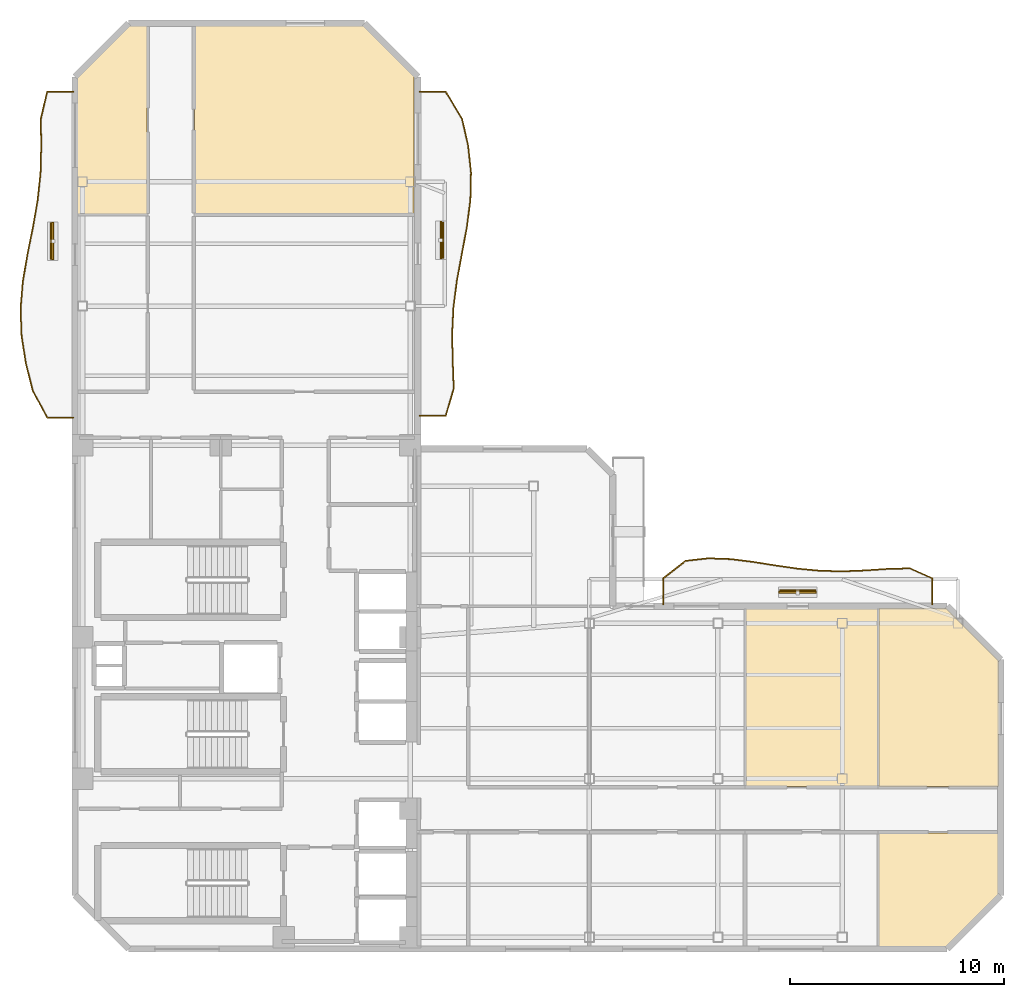
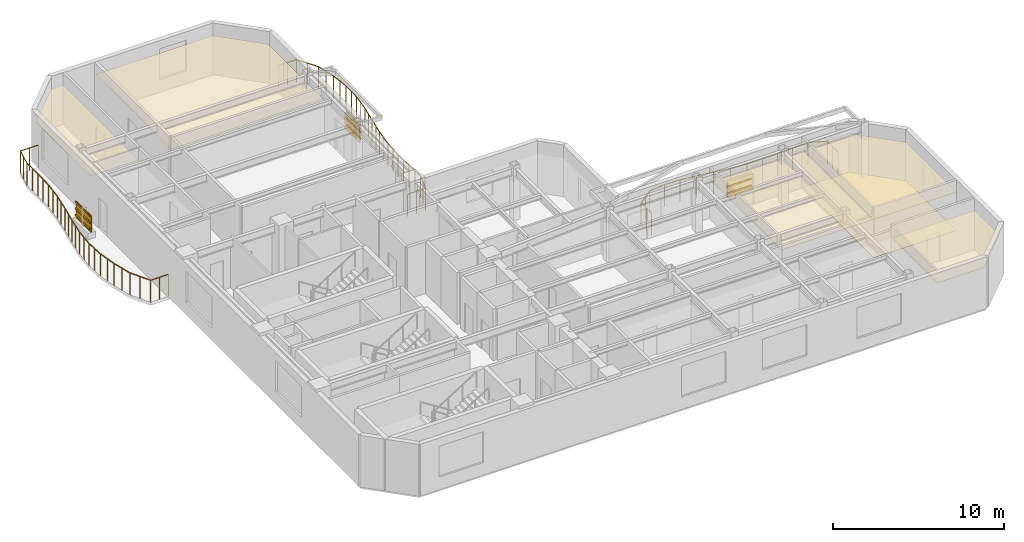
# One storey, part 9 of 9: 12 shading devices, 6 coverings, 3 railings.
"""IFC4 building model written with IfcOpenShell, lengths in metres."""

from ifc_helpers import new_model, si_unit, direction, frame, origin, origin_2d, place, context, subcontext, project, spatial, polyline, rectangle, outline, extrude, material, layer, layer_set, material_profile, profile_set, type_object, element, save


model = new_model("IFC4")

# Units and contexts
model_context = context("Model", 3, precision=1e-05, world=origin(), true_north=direction((0.0, 1.0)))
body_context = subcontext(model_context, "Body", "Model", "MODEL_VIEW")
ifc_project = project(units=[si_unit("LENGTHUNIT", "METRE"), si_unit("AREAUNIT", "SQUARE_METRE"), si_unit("VOLUMEUNIT", "CUBIC_METRE"), si_unit("PLANEANGLEUNIT", "RADIAN"), si_unit("MASSUNIT", "GRAM", prefix="KILO")], contexts=[model_context])

# Site, building, storey
site_placement = place(None, origin())
site = spatial("IfcSite", under=ifc_project, at=site_placement, CompositionType="ELEMENT")
building_placement = place(site_placement, origin())
building = spatial("IfcBuilding", under=site, at=building_placement, Name="Mawjaban Terraces University", CompositionType="ELEMENT")
storey_placement = place(building_placement, frame((0.0, 0.0, 195.300048828125)))
storey = spatial("IfcBuildingStorey", under=building, at=storey_placement, Name="L47", CompositionType="ELEMENT", Elevation=195.300048828125)

# Coverings
ifc_material_1 = material(Name="Acoustic mineral fibre ceiling tile", Category="masonry")
ifc_layer_1 = layer(ifc_material_1, 0.02001953125)
ifc_layer_set_1 = layer_set([ifc_layer_1], Name="Acoustic mineral fibre ceiling tile")
covering_type_1 = type_object("IfcCoveringType", Name="AcousticMineralCeiling_20", PredefinedType="CEILING", material=ifc_layer_set_1)
covering_1_placement = place(storey_placement, frame((0.0, 0.0, 2.75)))
element("IfcCovering", 1, at=covering_1_placement, inside=storey, type_object=covering_type_1, Name="L47 Academic Counseling Room 7 Acoustic Ceiling", PredefinedType="CEILING", context=body_context, shape_type="SweptSolid", body=[
    extrude(outline(polyline([(59.455078125, 15.885009765625), (53.302001953125, 15.885009765625), (53.302001953125, 7.580078125), (59.455078125, 7.580078125), (59.455078125, 15.885009765625)])), origin(), (0.0, 0.0, 1.0), 0.02001953125),
])
covering_2_placement = place(storey_placement, frame((0.0, 0.0, 2.75)))
element("IfcCovering", 2, at=covering_2_placement, inside=storey, type_object=covering_type_1, Name="L47 Academic Counseling Room 8 Acoustic Ceiling", PredefinedType="CEILING", context=body_context, shape_type="SweptSolid", body=[
    extrude(outline(polyline([(59.514892578125, 0.114990234375), (62.653076171875, 0.114990234375), (65.0849609375, 2.547119140625), (65.0849609375, 5.419921875), (59.514892578125, 5.419921875), (59.514892578125, 0.114990234375)])), origin(), (0.0, 0.0, 1.0), 0.02001953125),
])
covering_3_placement = place(storey_placement, frame((0.0, 0.0, 2.75)))
element("IfcCovering", 3, at=covering_3_placement, inside=storey, type_object=covering_type_1, Name="L47 Classroom 9 Acoustic Ceiling", PredefinedType="CEILING", context=body_context, shape_type="SweptSolid", body=[
    extrude(outline(polyline([(65.0849609375, 7.580078125), (65.0849609375, 13.452880859375), (62.653076171875, 15.885009765625), (59.514892578125, 15.885009765625), (59.514892578125, 7.580078125), (65.0849609375, 7.580078125)])), origin(), (0.0, 0.0, 1.0), 0.02001953125),
])
covering_4_placement = place(storey_placement, frame((0.0, 0.0, 2.75)))
element("IfcCovering", 4, at=covering_4_placement, inside=storey, type_object=covering_type_1, Name="L47 Teaching Laboratory 12 Acoustic Ceiling", PredefinedType="CEILING", context=body_context, shape_type="SweptSolid", body=[
    extrude(outline(polyline([(25.3701171875, 43.0849609375), (24.547119140625, 43.0849609375), (22.114990234375, 40.653076171875), (22.114990234375, 34.285888671875), (25.3701171875, 34.285888671875), (25.3701171875, 43.0849609375)])), origin(), (0.0, 0.0, 1.0), 0.02001953125),
])
covering_5_placement = place(storey_placement, frame((0.0, 0.0, 2.75)))
element("IfcCovering", 5, at=covering_5_placement, inside=storey, type_object=covering_type_1, Name="L47 Design Studio 13 Acoustic Ceiling", PredefinedType="CEILING", context=body_context, shape_type="SweptSolid", body=[
    extrude(outline(polyline([(37.820068359375, 40.718017578125), (35.452880859375, 43.0849609375), (27.580078125, 43.0849609375), (27.580078125, 34.285888671875), (37.820068359375, 34.285888671875), (37.820068359375, 40.718017578125)])), origin(), (0.0, 0.0, 1.0), 0.02001953125),
])

# Railings
ifc_material_2 = material(Name="Galvanised powder-coated steel S355", Category="steel")
railing_type = type_object("IfcRailingType", Name="BalconyBalustrade_1600", PredefinedType="BALUSTRADE", material=ifc_material_2)
railing_1_placement = place(storey_placement, frame((21.919921875, 24.800048828125, 0.0)))
element("IfcRailing", 6, at=railing_1_placement, inside=storey, type_object=railing_type, Name="L47 Balcony Guardrail west", PredefinedType="BALUSTRADE", context=body_context, shape_type="SweptSolid", body=[
    extrude(rectangle(XDim=0.048095703125, YDim=0.048095703125, at=origin_2d()), frame((0.0, 0.0, 1.576171875), z_axis=(-1.0, 0.0, 0.0), x_axis=(0.0, -1.0, 0.0)), (0.0, 0.0, 1.0), 1.219970703125),
    extrude(rectangle(XDim=0.048095703125, YDim=0.048095703125, at=origin_2d()), frame((-1.219970703125, 0.0, 1.576171875), z_axis=(-0.470791190401, 0.882244668468, 0.0), x_axis=(-0.882244668468, -0.470791190401, 0.0)), (0.0, 0.0, 1.0), 1.43603515625),
    extrude(rectangle(XDim=0.048095703125, YDim=0.048095703125, at=origin_2d()), frame((-1.89599609375, 1.266845703125, 1.576171875), z_axis=(-0.244207163302, 0.969723084902, 0.0), x_axis=(-0.969723084902, -0.244207163302, 0.0)), (0.0, 0.0, 1.0), 1.3056640625),
    extrude(rectangle(XDim=0.048095703125, YDim=0.048095703125, at=origin_2d()), frame((-2.21484375, 2.532958984375, 1.576171875), z_axis=(-0.155131685366, 0.987893800059, 0.0), x_axis=(-0.987893800059, -0.155131685366, 0.0)), (0.0, 0.0, 1.0), 1.28271484375),
    extrude(rectangle(XDim=0.048095703125, YDim=0.048095703125, at=origin_2d()), frame((-2.413818359375, 3.800048828125, 1.576171875), z_axis=(-0.037937595246, 0.999280110313, 0.0), x_axis=(-0.999280110313, -0.037937595246, 0.0)), (0.0, 0.0, 1.0), 1.267822265625),
    extrude(rectangle(XDim=0.048095703125, YDim=0.048095703125, at=origin_2d()), frame((-2.4619140625, 5.06689453125, 1.576171875), z_axis=(0.081868487873, 0.996643141096, 0.0), x_axis=(-0.996643141096, 0.081868487873, 0.0)), (0.0, 0.0, 1.0), 1.270263671875),
    extrude(rectangle(XDim=0.048095703125, YDim=0.048095703125, at=origin_2d()), frame((-2.35791015625, 6.3330078125, 1.576171875), z_axis=(0.167386824685, 0.985891297721, 0.0), x_axis=(-0.985891297721, 0.167386824685, 0.0)), (0.0, 0.0, 1.0), 1.284912109375),
    extrude(rectangle(XDim=0.048095703125, YDim=0.048095703125, at=origin_2d()), frame((-2.142822265625, 7.599853515625, 1.576171875), z_axis=(0.197931820359, 0.980215789757, 0.0), x_axis=(-0.980215789757, 0.197931820359, 0.0)), (0.0, 0.0, 1.0), 1.292724609375),
    extrude(rectangle(XDim=0.048095703125, YDim=0.048095703125, at=origin_2d()), frame((-1.886962890625, 8.866943359375, 1.576171875), z_axis=(0.172647542263, 0.984983667961, 0.0), x_axis=(-0.984983667961, 0.172647542263, 0.0)), (0.0, 0.0, 1.0), 1.285400390625),
    extrude(rectangle(XDim=0.048095703125, YDim=0.048095703125, at=origin_2d()), frame((-1.6650390625, 10.133056640625, 1.576171875), z_axis=(0.105213501896, 0.994449656352, 0.0), x_axis=(-0.994449656352, 0.105213501896, 0.0)), (0.0, 0.0, 1.0), 1.27392578125),
    extrude(rectangle(XDim=0.048095703125, YDim=0.048095703125, at=origin_2d()), frame((-1.531005859375, 11.39990234375, 1.576171875), z_axis=(0.026195246822, 0.999656845645, 0.0), x_axis=(-0.999656845645, 0.026195246822, 0.0)), (0.0, 0.0, 1.0), 1.267578125),
    extrude(rectangle(XDim=0.048095703125, YDim=0.048095703125, at=origin_2d()), frame((-1.497802734375, 12.6669921875, 1.576171875), z_axis=(-0.015041692508, 0.999886867344, 0.0), x_axis=(-0.999886867344, -0.015041692508, 0.0)), (0.0, 0.0, 1.0), 1.26611328125),
    extrude(rectangle(XDim=0.048095703125, YDim=0.048095703125, at=origin_2d()), frame((-1.516845703125, 13.932861328125, 1.576171875), z_axis=(0.228119078942, 0.973633239892, 0.0), x_axis=(-0.973633239892, 0.228119078942, 0.0)), (0.0, 0.0, 1.0), 1.301513671875),
    extrude(rectangle(XDim=0.048095703125, YDim=0.048095703125, at=origin_2d()), frame((-1.219970703125, 15.199951171875, 1.576171875), z_axis=(1.0, 0.0, 0.0), x_axis=(0.0, 1.0, 0.0)), (0.0, 0.0, 1.0), 1.219970703125),
    extrude(rectangle(XDim=0.0419921875, YDim=0.0419921875, at=origin_2d()), origin(), (0.0, 0.0, 1.0), 1.552001953125),
    extrude(rectangle(XDim=0.0419921875, YDim=0.0419921875, at=origin_2d()), frame((-0.60986328125, 0.0, 0.0)), (0.0, 0.0, 1.0), 1.552001953125),
    extrude(rectangle(XDim=0.0419921875, YDim=0.0419921875, at=origin_2d()), frame((-1.219970703125, 0.0, 0.0)), (0.0, 0.0, 1.0), 1.552001953125),
    extrude(rectangle(XDim=0.0419921875, YDim=0.0419921875, at=origin_2d()), frame((-1.55810546875, 0.63330078125, 0.0)), (0.0, 0.0, 1.0), 1.552001953125),
    extrude(rectangle(XDim=0.0419921875, YDim=0.0419921875, at=origin_2d()), frame((-1.89599609375, 1.266845703125, 0.0)), (0.0, 0.0, 1.0), 1.552001953125),
    extrude(rectangle(XDim=0.0419921875, YDim=0.0419921875, at=origin_2d()), frame((-2.055419921875, 1.89990234375, 0.0)), (0.0, 0.0, 1.0), 1.552001953125),
    extrude(rectangle(XDim=0.0419921875, YDim=0.0419921875, at=origin_2d()), frame((-2.21484375, 2.532958984375, 0.0)), (0.0, 0.0, 1.0), 1.552001953125),
    extrude(rectangle(XDim=0.0419921875, YDim=0.0419921875, at=origin_2d()), frame((-2.314453125, 3.16650390625, 0.0)), (0.0, 0.0, 1.0), 1.552001953125),
    extrude(rectangle(XDim=0.0419921875, YDim=0.0419921875, at=origin_2d()), frame((-2.413818359375, 3.800048828125, 0.0)), (0.0, 0.0, 1.0), 1.552001953125),
    extrude(rectangle(XDim=0.0419921875, YDim=0.0419921875, at=origin_2d()), frame((-2.43798828125, 4.43359375, 0.0)), (0.0, 0.0, 1.0), 1.552001953125),
    extrude(rectangle(XDim=0.0419921875, YDim=0.0419921875, at=origin_2d()), frame((-2.4619140625, 5.06689453125, 0.0)), (0.0, 0.0, 1.0), 1.552001953125),
    extrude(rectangle(XDim=0.0419921875, YDim=0.0419921875, at=origin_2d()), frame((-2.409912109375, 5.699951171875, 0.0)), (0.0, 0.0, 1.0), 1.552001953125),
    extrude(rectangle(XDim=0.0419921875, YDim=0.0419921875, at=origin_2d()), frame((-2.35791015625, 6.3330078125, 0.0)), (0.0, 0.0, 1.0), 1.552001953125),
    extrude(rectangle(XDim=0.0419921875, YDim=0.0419921875, at=origin_2d()), frame((-2.25048828125, 6.96630859375, 0.0)), (0.0, 0.0, 1.0), 1.552001953125),
    extrude(rectangle(XDim=0.0419921875, YDim=0.0419921875, at=origin_2d()), frame((-2.142822265625, 7.599853515625, 0.0)), (0.0, 0.0, 1.0), 1.552001953125),
    extrude(rectangle(XDim=0.0419921875, YDim=0.0419921875, at=origin_2d()), frame((-2.014892578125, 8.2333984375, 0.0)), (0.0, 0.0, 1.0), 1.552001953125),
    extrude(rectangle(XDim=0.0419921875, YDim=0.0419921875, at=origin_2d()), frame((-1.886962890625, 8.866943359375, 0.0)), (0.0, 0.0, 1.0), 1.552001953125),
    extrude(rectangle(XDim=0.0419921875, YDim=0.0419921875, at=origin_2d()), frame((-1.77587890625, 9.5, 0.0)), (0.0, 0.0, 1.0), 1.552001953125),
    extrude(rectangle(XDim=0.0419921875, YDim=0.0419921875, at=origin_2d()), frame((-1.6650390625, 10.133056640625, 0.0)), (0.0, 0.0, 1.0), 1.552001953125),
    extrude(rectangle(XDim=0.0419921875, YDim=0.0419921875, at=origin_2d()), frame((-1.59814453125, 10.7666015625, 0.0)), (0.0, 0.0, 1.0), 1.552001953125),
    extrude(rectangle(XDim=0.0419921875, YDim=0.0419921875, at=origin_2d()), frame((-1.531005859375, 11.39990234375, 0.0)), (0.0, 0.0, 1.0), 1.552001953125),
    extrude(rectangle(XDim=0.0419921875, YDim=0.0419921875, at=origin_2d()), frame((-1.514404296875, 12.033447265625, 0.0)), (0.0, 0.0, 1.0), 1.552001953125),
    extrude(rectangle(XDim=0.0419921875, YDim=0.0419921875, at=origin_2d()), frame((-1.497802734375, 12.6669921875, 0.0)), (0.0, 0.0, 1.0), 1.552001953125),
    extrude(rectangle(XDim=0.0419921875, YDim=0.0419921875, at=origin_2d()), frame((-1.50732421875, 13.2998046875, 0.0)), (0.0, 0.0, 1.0), 1.552001953125),
    extrude(rectangle(XDim=0.0419921875, YDim=0.0419921875, at=origin_2d()), frame((-1.516845703125, 13.932861328125, 0.0)), (0.0, 0.0, 1.0), 1.552001953125),
    extrude(rectangle(XDim=0.0419921875, YDim=0.0419921875, at=origin_2d()), frame((-1.368408203125, 14.56640625, 0.0)), (0.0, 0.0, 1.0), 1.552001953125),
    extrude(rectangle(XDim=0.0419921875, YDim=0.0419921875, at=origin_2d()), frame((-1.219970703125, 15.199951171875, 0.0)), (0.0, 0.0, 1.0), 1.552001953125),
    extrude(rectangle(XDim=0.0419921875, YDim=0.0419921875, at=origin_2d()), frame((-0.60986328125, 15.199951171875, 0.0)), (0.0, 0.0, 1.0), 1.552001953125),
    extrude(rectangle(XDim=0.0419921875, YDim=0.0419921875, at=origin_2d()), frame((0.0, 15.199951171875, 0.0)), (0.0, 0.0, 1.0), 1.552001953125),
])
railing_2_placement = place(storey_placement, frame((49.449951171875, 16.080078125, 0.0)))
element("IfcRailing", 7, at=railing_2_placement, inside=storey, type_object=railing_type, Name="L47 Balcony Guardrail inner_north", PredefinedType="BALUSTRADE", context=body_context, shape_type="SweptSolid", body=[
    extrude(rectangle(XDim=0.048095703125, YDim=0.048095703125, at=origin_2d()), frame((0.0, 0.0, 1.576171875), z_axis=(0.0, 1.0, 0.0), x_axis=(-1.0, 0.0, 0.0)), (0.0, 0.0, 1.0), 1.219970703125),
    extrude(rectangle(XDim=0.048095703125, YDim=0.048095703125, at=origin_2d()), frame((0.0, 1.219970703125, 1.576171875), z_axis=(0.788886065076, 0.614539483133, 0.0), x_axis=(-0.614539483133, 0.788886065076, 0.0)), (0.0, 0.0, 1.0), 1.326171875),
    extrude(rectangle(XDim=0.048095703125, YDim=0.048095703125, at=origin_2d()), frame((1.046142578125, 2.034912109375, 1.576171875), z_axis=(0.993704229567, 0.112035280785, 0.0), x_axis=(-0.112035280785, 0.993704229567, 0.0)), (0.0, 0.0, 1.0), 1.052490234375),
    extrude(rectangle(XDim=0.048095703125, YDim=0.048095703125, at=origin_2d()), frame((2.092041015625, 2.15283203125, 1.576171875), z_axis=(0.999379387476, -0.035225557308, 0.0), x_axis=(0.035225557308, 0.999379387476, 0.0)), (0.0, 0.0, 1.0), 1.046630859375),
    extrude(rectangle(XDim=0.048095703125, YDim=0.048095703125, at=origin_2d()), frame((3.137939453125, 2.115966796875, 1.576171875), z_axis=(0.992592096091, -0.121494570977, 0.0), x_axis=(0.121494570977, 0.992592096091, 0.0)), (0.0, 0.0, 1.0), 1.052978515625),
    extrude(rectangle(XDim=0.048095703125, YDim=0.048095703125, at=origin_2d()), frame((4.18310546875, 1.988037109375, 1.576171875), z_axis=(0.987456449029, -0.157891612415, 0.0), x_axis=(0.157891612415, 0.987456449029, 0.0)), (0.0, 0.0, 1.0), 1.05908203125),
    extrude(rectangle(XDim=0.048095703125, YDim=0.048095703125, at=origin_2d()), frame((5.22900390625, 1.82080078125, 1.576171875), z_axis=(0.989628266304, -0.143651991048, 0.0), x_axis=(0.143651991048, 0.989628266304, 0.0)), (0.0, 0.0, 1.0), 1.05712890625),
    extrude(rectangle(XDim=0.048095703125, YDim=0.048095703125, at=origin_2d()), frame((6.275146484375, 1.6689453125, 1.576171875), z_axis=(0.995626122983, -0.093427101176, 0.0), x_axis=(0.093427101176, 0.995626122983, 0.0)), (0.0, 0.0, 1.0), 1.050537109375),
    extrude(rectangle(XDim=0.048095703125, YDim=0.048095703125, at=origin_2d()), frame((7.321044921875, 1.57080078125, 1.576171875), z_axis=(0.999716673744, -0.023802777946, 0.0), x_axis=(0.023802777946, 0.999716673744, 0.0)), (0.0, 0.0, 1.0), 1.046142578125),
    extrude(rectangle(XDim=0.048095703125, YDim=0.048095703125, at=origin_2d()), frame((8.366943359375, 1.5458984375, 1.576171875), z_axis=(0.999267024346, 0.038280726931, 0.0), x_axis=(-0.038280726931, 0.999267024346, 0.0)), (0.0, 0.0, 1.0), 1.0458984375),
    extrude(rectangle(XDim=0.048095703125, YDim=0.048095703125, at=origin_2d()), frame((9.412109375, 1.5859375, 1.576171875), z_axis=(0.997763463468, 0.066843630723, 0.0), x_axis=(-0.066843630723, 0.997763463468, 0.0)), (0.0, 0.0, 1.0), 1.04833984375),
    extrude(rectangle(XDim=0.048095703125, YDim=0.048095703125, at=origin_2d()), frame((10.4580078125, 1.656005859375, 1.576171875), z_axis=(0.999621046916, 0.027527487406, 0.0), x_axis=(-0.027527487406, 0.999621046916, 0.0)), (0.0, 0.0, 1.0), 1.046630859375),
    extrude(rectangle(XDim=0.048095703125, YDim=0.048095703125, at=origin_2d()), frame((11.504150390625, 1.684814453125, 1.576171875), z_axis=(0.91381154862, -0.406138466053, 0.0), x_axis=(0.406138466053, 0.91381154862, 0.0)), (0.0, 0.0, 1.0), 1.14453125),
    extrude(rectangle(XDim=0.048095703125, YDim=0.048095703125, at=origin_2d()), frame((12.550048828125, 1.219970703125, 1.576171875), z_axis=(0.0, -1.0, 0.0), x_axis=(1.0, 0.0, 0.0)), (0.0, 0.0, 1.0), 1.219970703125),
    extrude(rectangle(XDim=0.0419921875, YDim=0.0419921875, at=origin_2d()), origin(), (0.0, 0.0, 1.0), 1.552001953125),
    extrude(rectangle(XDim=0.0419921875, YDim=0.0419921875, at=origin_2d()), frame((0.0, 0.60986328125, 0.0)), (0.0, 0.0, 1.0), 1.552001953125),
    extrude(rectangle(XDim=0.0419921875, YDim=0.0419921875, at=origin_2d()), frame((0.0, 1.219970703125, 0.0)), (0.0, 0.0, 1.0), 1.552001953125),
    extrude(rectangle(XDim=0.0419921875, YDim=0.0419921875, at=origin_2d()), frame((0.52294921875, 1.62744140625, 0.0)), (0.0, 0.0, 1.0), 1.552001953125),
    extrude(rectangle(XDim=0.0419921875, YDim=0.0419921875, at=origin_2d()), frame((1.046142578125, 2.034912109375, 0.0)), (0.0, 0.0, 1.0), 1.552001953125),
    extrude(rectangle(XDim=0.0419921875, YDim=0.0419921875, at=origin_2d()), frame((2.092041015625, 2.15283203125, 0.0)), (0.0, 0.0, 1.0), 1.552001953125),
    extrude(rectangle(XDim=0.0419921875, YDim=0.0419921875, at=origin_2d()), frame((3.137939453125, 2.115966796875, 0.0)), (0.0, 0.0, 1.0), 1.552001953125),
    extrude(rectangle(XDim=0.0419921875, YDim=0.0419921875, at=origin_2d()), frame((4.18310546875, 1.988037109375, 0.0)), (0.0, 0.0, 1.0), 1.552001953125),
    extrude(rectangle(XDim=0.0419921875, YDim=0.0419921875, at=origin_2d()), frame((5.22900390625, 1.82080078125, 0.0)), (0.0, 0.0, 1.0), 1.552001953125),
    extrude(rectangle(XDim=0.0419921875, YDim=0.0419921875, at=origin_2d()), frame((6.275146484375, 1.6689453125, 0.0)), (0.0, 0.0, 1.0), 1.552001953125),
    extrude(rectangle(XDim=0.0419921875, YDim=0.0419921875, at=origin_2d()), frame((7.321044921875, 1.57080078125, 0.0)), (0.0, 0.0, 1.0), 1.552001953125),
    extrude(rectangle(XDim=0.0419921875, YDim=0.0419921875, at=origin_2d()), frame((8.366943359375, 1.5458984375, 0.0)), (0.0, 0.0, 1.0), 1.552001953125),
    extrude(rectangle(XDim=0.0419921875, YDim=0.0419921875, at=origin_2d()), frame((9.412109375, 1.5859375, 0.0)), (0.0, 0.0, 1.0), 1.552001953125),
    extrude(rectangle(XDim=0.0419921875, YDim=0.0419921875, at=origin_2d()), frame((10.4580078125, 1.656005859375, 0.0)), (0.0, 0.0, 1.0), 1.552001953125),
    extrude(rectangle(XDim=0.0419921875, YDim=0.0419921875, at=origin_2d()), frame((11.504150390625, 1.684814453125, 0.0)), (0.0, 0.0, 1.0), 1.552001953125),
    extrude(rectangle(XDim=0.0419921875, YDim=0.0419921875, at=origin_2d()), frame((12.550048828125, 1.219970703125, 0.0)), (0.0, 0.0, 1.0), 1.552001953125),
    extrude(rectangle(XDim=0.0419921875, YDim=0.0419921875, at=origin_2d()), frame((12.550048828125, 0.60986328125, 0.0)), (0.0, 0.0, 1.0), 1.552001953125),
    extrude(rectangle(XDim=0.0419921875, YDim=0.0419921875, at=origin_2d()), frame((12.550048828125, 0.0, 0.0)), (0.0, 0.0, 1.0), 1.552001953125),
])
railing_3_placement = place(storey_placement, frame((38.080078125, 24.887939453125, 0.0)))
element("IfcRailing", 8, at=railing_3_placement, inside=storey, type_object=railing_type, Name="L47 Balcony Guardrail inner_east", PredefinedType="BALUSTRADE", context=body_context, shape_type="SweptSolid", body=[
    extrude(rectangle(XDim=0.048095703125, YDim=0.048095703125, at=origin_2d()), frame((0.0, 0.0, 1.576171875), z_axis=(1.0, 0.0, 0.0), x_axis=(0.0, 1.0, 0.0)), (0.0, 0.0, 1.0), 1.219970703125),
    extrude(rectangle(XDim=0.048095703125, YDim=0.048095703125, at=origin_2d()), frame((1.219970703125, 0.0, 1.576171875), z_axis=(0.286137376553, 0.958188604472, 0.0), x_axis=(-0.958188604472, 0.286137376553, 0.0)), (0.0, 0.0, 1.0), 1.31396484375),
    extrude(rectangle(XDim=0.048095703125, YDim=0.048095703125, at=origin_2d()), frame((1.595947265625, 1.259033203125, 1.576171875), z_axis=(-0.036596278806, 0.999330131827, 0.0), x_axis=(-0.999330131827, -0.036596278806, 0.0)), (0.0, 0.0, 1.0), 1.2607421875),
    extrude(rectangle(XDim=0.048095703125, YDim=0.048095703125, at=origin_2d()), frame((1.5498046875, 2.51904296875, 1.576171875), z_axis=(-0.022875532645, 0.999738320765, 0.0), x_axis=(-0.999738320765, -0.022875532645, 0.0)), (0.0, 0.0, 1.0), 1.25927734375),
    extrude(rectangle(XDim=0.048095703125, YDim=0.048095703125, at=origin_2d()), frame((1.52099609375, 3.778076171875, 1.576171875), z_axis=(0.046681649415, 0.998909817555, 0.0), x_axis=(-0.998909817555, 0.046681649415, 0.0)), (0.0, 0.0, 1.0), 1.260498046875),
    extrude(rectangle(XDim=0.048095703125, YDim=0.048095703125, at=origin_2d()), frame((1.579833984375, 5.037109375, 1.576171875), z_axis=(0.128361544176, 0.991727439359, 0.0), x_axis=(-0.991727439359, 0.128361544176, 0.0)), (0.0, 0.0, 1.0), 1.2705078125),
    extrude(rectangle(XDim=0.048095703125, YDim=0.048095703125, at=origin_2d()), frame((1.742919921875, 6.297119140625, 1.576171875), z_axis=(0.181904903131, 0.983316127304, 0.0), x_axis=(-0.983316127304, 0.181904903131, 0.0)), (0.0, 0.0, 1.0), 1.2802734375),
    extrude(rectangle(XDim=0.048095703125, YDim=0.048095703125, at=origin_2d()), frame((1.975830078125, 7.55615234375, 1.576171875), z_axis=(0.18359782589, 0.983001443706, 0.0), x_axis=(-0.983001443706, 0.18359782589, 0.0)), (0.0, 0.0, 1.0), 1.280517578125),
    extrude(rectangle(XDim=0.048095703125, YDim=0.048095703125, at=origin_2d()), frame((2.2109375, 8.81494140625, 1.576171875), z_axis=(0.1274164104, 0.991849312326, 0.0), x_axis=(-0.991849312326, 0.1274164104, 0.0)), (0.0, 0.0, 1.0), 1.270263671875),
    extrude(rectangle(XDim=0.048095703125, YDim=0.048095703125, at=origin_2d()), frame((2.372802734375, 10.074951171875, 1.576171875), z_axis=(0.02229424414, 0.999751452451, 0.0), x_axis=(-0.999751452451, 0.02229424414, 0.0)), (0.0, 0.0, 1.0), 1.25927734375),
    extrude(rectangle(XDim=0.048095703125, YDim=0.048095703125, at=origin_2d()), frame((2.40087890625, 11.333984375, 1.576171875), z_axis=(-0.105096337938, 0.994462045405, 0.0), x_axis=(-0.994462045405, -0.105096337938, 0.0)), (0.0, 0.0, 1.0), 1.26611328125),
    extrude(rectangle(XDim=0.048095703125, YDim=0.048095703125, at=origin_2d()), frame((2.267822265625, 12.593017578125, 1.576171875), z_axis=(-0.221988547892, 0.975049272911, 0.0), x_axis=(-0.975049272911, -0.221988547892, 0.0)), (0.0, 0.0, 1.0), 1.292236328125),
    extrude(rectangle(XDim=0.048095703125, YDim=0.048095703125, at=origin_2d()), frame((1.98095703125, 13.85302734375, 1.576171875), z_axis=(-0.517275199009, 0.855819121363, 0.0), x_axis=(-0.855819121363, -0.517275199009, 0.0)), (0.0, 0.0, 1.0), 1.47119140625),
    extrude(rectangle(XDim=0.048095703125, YDim=0.048095703125, at=origin_2d()), frame((1.219970703125, 15.112060546875, 1.576171875), z_axis=(-1.0, 0.0, 0.0), x_axis=(0.0, -1.0, 0.0)), (0.0, 0.0, 1.0), 1.219970703125),
    extrude(rectangle(XDim=0.0419921875, YDim=0.0419921875, at=origin_2d()), origin(), (0.0, 0.0, 1.0), 1.552001953125),
    extrude(rectangle(XDim=0.0419921875, YDim=0.0419921875, at=origin_2d()), frame((0.60986328125, 0.0, 0.0)), (0.0, 0.0, 1.0), 1.552001953125),
    extrude(rectangle(XDim=0.0419921875, YDim=0.0419921875, at=origin_2d()), frame((1.219970703125, 0.0, 0.0)), (0.0, 0.0, 1.0), 1.552001953125),
    extrude(rectangle(XDim=0.0419921875, YDim=0.0419921875, at=origin_2d()), frame((1.407958984375, 0.62939453125, 0.0)), (0.0, 0.0, 1.0), 1.552001953125),
    extrude(rectangle(XDim=0.0419921875, YDim=0.0419921875, at=origin_2d()), frame((1.595947265625, 1.259033203125, 0.0)), (0.0, 0.0, 1.0), 1.552001953125),
    extrude(rectangle(XDim=0.0419921875, YDim=0.0419921875, at=origin_2d()), frame((1.57275390625, 1.88916015625, 0.0)), (0.0, 0.0, 1.0), 1.552001953125),
    extrude(rectangle(XDim=0.0419921875, YDim=0.0419921875, at=origin_2d()), frame((1.5498046875, 2.51904296875, 0.0)), (0.0, 0.0, 1.0), 1.552001953125),
    extrude(rectangle(XDim=0.0419921875, YDim=0.0419921875, at=origin_2d()), frame((1.535400390625, 3.1484375, 0.0)), (0.0, 0.0, 1.0), 1.552001953125),
    extrude(rectangle(XDim=0.0419921875, YDim=0.0419921875, at=origin_2d()), frame((1.52099609375, 3.778076171875, 0.0)), (0.0, 0.0, 1.0), 1.552001953125),
    extrude(rectangle(XDim=0.0419921875, YDim=0.0419921875, at=origin_2d()), frame((1.55029296875, 4.40771484375, 0.0)), (0.0, 0.0, 1.0), 1.552001953125),
    extrude(rectangle(XDim=0.0419921875, YDim=0.0419921875, at=origin_2d()), frame((1.579833984375, 5.037109375, 0.0)), (0.0, 0.0, 1.0), 1.552001953125),
    extrude(rectangle(XDim=0.0419921875, YDim=0.0419921875, at=origin_2d()), frame((1.661376953125, 5.6669921875, 0.0)), (0.0, 0.0, 1.0), 1.552001953125),
    extrude(rectangle(XDim=0.0419921875, YDim=0.0419921875, at=origin_2d()), frame((1.742919921875, 6.297119140625, 0.0)), (0.0, 0.0, 1.0), 1.552001953125),
    extrude(rectangle(XDim=0.0419921875, YDim=0.0419921875, at=origin_2d()), frame((1.859375, 6.9267578125, 0.0)), (0.0, 0.0, 1.0), 1.552001953125),
    extrude(rectangle(XDim=0.0419921875, YDim=0.0419921875, at=origin_2d()), frame((1.975830078125, 7.55615234375, 0.0)), (0.0, 0.0, 1.0), 1.552001953125),
    extrude(rectangle(XDim=0.0419921875, YDim=0.0419921875, at=origin_2d()), frame((2.09326171875, 8.185546875, 0.0)), (0.0, 0.0, 1.0), 1.552001953125),
    extrude(rectangle(XDim=0.0419921875, YDim=0.0419921875, at=origin_2d()), frame((2.2109375, 8.81494140625, 0.0)), (0.0, 0.0, 1.0), 1.552001953125),
    extrude(rectangle(XDim=0.0419921875, YDim=0.0419921875, at=origin_2d()), frame((2.2919921875, 9.44482421875, 0.0)), (0.0, 0.0, 1.0), 1.552001953125),
    extrude(rectangle(XDim=0.0419921875, YDim=0.0419921875, at=origin_2d()), frame((2.372802734375, 10.074951171875, 0.0)), (0.0, 0.0, 1.0), 1.552001953125),
    extrude(rectangle(XDim=0.0419921875, YDim=0.0419921875, at=origin_2d()), frame((2.38671875, 10.70458984375, 0.0)), (0.0, 0.0, 1.0), 1.552001953125),
    extrude(rectangle(XDim=0.0419921875, YDim=0.0419921875, at=origin_2d()), frame((2.40087890625, 11.333984375, 0.0)), (0.0, 0.0, 1.0), 1.552001953125),
    extrude(rectangle(XDim=0.0419921875, YDim=0.0419921875, at=origin_2d()), frame((2.33447265625, 11.96337890625, 0.0)), (0.0, 0.0, 1.0), 1.552001953125),
    extrude(rectangle(XDim=0.0419921875, YDim=0.0419921875, at=origin_2d()), frame((2.267822265625, 12.593017578125, 0.0)), (0.0, 0.0, 1.0), 1.552001953125),
    extrude(rectangle(XDim=0.0419921875, YDim=0.0419921875, at=origin_2d()), frame((2.12451171875, 13.22314453125, 0.0)), (0.0, 0.0, 1.0), 1.552001953125),
    extrude(rectangle(XDim=0.0419921875, YDim=0.0419921875, at=origin_2d()), frame((1.98095703125, 13.85302734375, 0.0)), (0.0, 0.0, 1.0), 1.552001953125),
    extrude(rectangle(XDim=0.0419921875, YDim=0.0419921875, at=origin_2d()), frame((1.6005859375, 14.482421875, 0.0)), (0.0, 0.0, 1.0), 1.552001953125),
    extrude(rectangle(XDim=0.0419921875, YDim=0.0419921875, at=origin_2d()), frame((1.219970703125, 15.112060546875, 0.0)), (0.0, 0.0, 1.0), 1.552001953125),
    extrude(rectangle(XDim=0.0419921875, YDim=0.0419921875, at=origin_2d()), frame((0.60986328125, 15.112060546875, 0.0)), (0.0, 0.0, 1.0), 1.552001953125),
    extrude(rectangle(XDim=0.0419921875, YDim=0.0419921875, at=origin_2d()), frame((0.0, 15.112060546875, 0.0)), (0.0, 0.0, 1.0), 1.552001953125),
])

# Shading devices
ifc_material_3 = material(Name="Glazed architectural terracotta ceramic", Category="masonry")
ifc_material_profile = material_profile(ifc_material_3, rectangle(XDim=0.06494140625, YDim=0.110107421875, at=origin_2d()), Name="TBAG110X65")
ifc_profile_set = profile_set([ifc_material_profile], Name="Glazed architectural terracotta ceramic")
shading_device_type_1 = type_object("IfcShadingDeviceType", Name="TerracottaBaguette_110x65", PredefinedType="USERDEFINED", material=ifc_profile_set)
for number, where, z_axis, x_axis, name in (
    (9, (20.873046875, 32.18408203125, 0.679931640625), (0.0, 1.0, 0.0), (-1.0, 0.0, 0.0), "L47 Horizontal Terracotta Baguette west.1"),
    (10, (20.873046875, 32.18408203125, 1.14990234375), (0.0, 1.0, 0.0), (-1.0, 0.0, 0.0), "L47 Horizontal Terracotta Baguette west.2"),
    (11, (20.873046875, 32.18408203125, 1.619873046875), (0.0, 1.0, 0.0), (-1.0, 0.0, 0.0), "L47 Horizontal Terracotta Baguette west.3"),
    (12, (54.875, 16.72998046875, 0.679931640625), (1.0, 0.0, 0.0), (0.0, 1.0, 0.0), "L47 Horizontal Terracotta Baguette inner_north.1"),
    (13, (54.875, 16.72998046875, 1.14990234375), (1.0, 0.0, 0.0), (0.0, 1.0, 0.0), "L47 Horizontal Terracotta Baguette inner_north.2"),
    (14, (54.875, 16.72998046875, 1.619873046875), (1.0, 0.0, 0.0), (0.0, 1.0, 0.0), "L47 Horizontal Terracotta Baguette inner_north.3"),
    (15, (39.1669921875, 32.22412109375, 0.679931640625), (0.0, 1.0, 0.0), (-1.0, 0.0, 0.0), "L47 Horizontal Terracotta Baguette inner_east.1"),
    (16, (39.1669921875, 32.22412109375, 1.14990234375), (0.0, 1.0, 0.0), (-1.0, 0.0, 0.0), "L47 Horizontal Terracotta Baguette inner_east.2"),
    (17, (39.1669921875, 32.22412109375, 1.619873046875), (0.0, 1.0, 0.0), (-1.0, 0.0, 0.0), "L47 Horizontal Terracotta Baguette inner_east.3"),
):
    element("IfcShadingDevice", number, at=place(storey_placement, frame(where, z_axis=z_axis, x_axis=x_axis)), inside=storey, type_object=shading_device_type_1, Name=name, ObjectType="BAGUETTE", PredefinedType="USERDEFINED", context=body_context, shape_type="SweptSolid", body=[
        extrude(rectangle(XDim=0.06494140625, YDim=0.110107421875, at=origin_2d()), origin(), (0.0, 0.0, 1.0), 1.699951171875),
    ])
ifc_layer_2 = layer(ifc_material_3, 0.080078125)
ifc_layer_set_2 = layer_set([ifc_layer_2], Name="Glazed architectural terracotta ceramic")
shading_device_type_2 = type_object("IfcShadingDeviceType", Name="TerracottaScreen_Perforated", PredefinedType="USERDEFINED", material=ifc_layer_set_2)
for number, where, z_axis, x_axis, name in (
    (18, (20.9580078125, 33.033935546875, 0.43994140625), (0.0, 0.0, 1.0), (0.0, 1.0, 0.0), "L47 Balcony Perforated Terracotta Screen west"),
    (19, (55.72509765625, 16.64501953125, 0.43994140625), (0.0, 0.0, 1.0), (1.0, 0.0, 0.0), "L47 Balcony Perforated Terracotta Screen inner_north"),
    (20, (39.08203125, 33.073974609375, 0.43994140625), (0.0, 0.0, 1.0), (0.0, 1.0, 0.0), "L47 Balcony Perforated Terracotta Screen inner_east"),
):
    element("IfcShadingDevice", number, at=place(storey_placement, frame(where, z_axis=z_axis, x_axis=x_axis)), inside=storey, type_object=shading_device_type_2, Name=name, ObjectType="SCREEN", PredefinedType="USERDEFINED", context=body_context, shape_type="SweptSolid", body=[
        extrude(rectangle(XDim=1.75, YDim=0.080078125, at=origin_2d()), origin(), (0.0, 0.0, 1.0), 1.14990234375),
    ])

# Covering
ifc_material_4 = material(Name="Polished Hijazi granite terrazzo flooring", Category="masonry")
ifc_layer_3 = layer(ifc_material_4, 0.02490234375)
ifc_layer_set_3 = layer_set([ifc_layer_3], Name="Polished Hijazi granite terrazzo flooring")
covering_type_2 = type_object("IfcCoveringType", Name="TerrazzoConcourseFlooring_25", PredefinedType="FLOORING", material=ifc_layer_set_3)
covering_6_placement = place(storey_placement, origin())
element("IfcCovering", 21, at=covering_6_placement, inside=storey, type_object=covering_type_2, Name="L47 Classroom 9 Terrazzo Flooring", PredefinedType="FLOORING", context=body_context, shape_type="SweptSolid", body=[
    extrude(outline(polyline([(65.0849609375, 7.580078125), (65.0849609375, 13.452880859375), (62.653076171875, 15.885009765625), (59.514892578125, 15.885009765625), (59.514892578125, 7.580078125), (65.0849609375, 7.580078125)])), origin(), (0.0, 0.0, 1.0), 0.02490234375),
])

save(model, "model.ifc")
